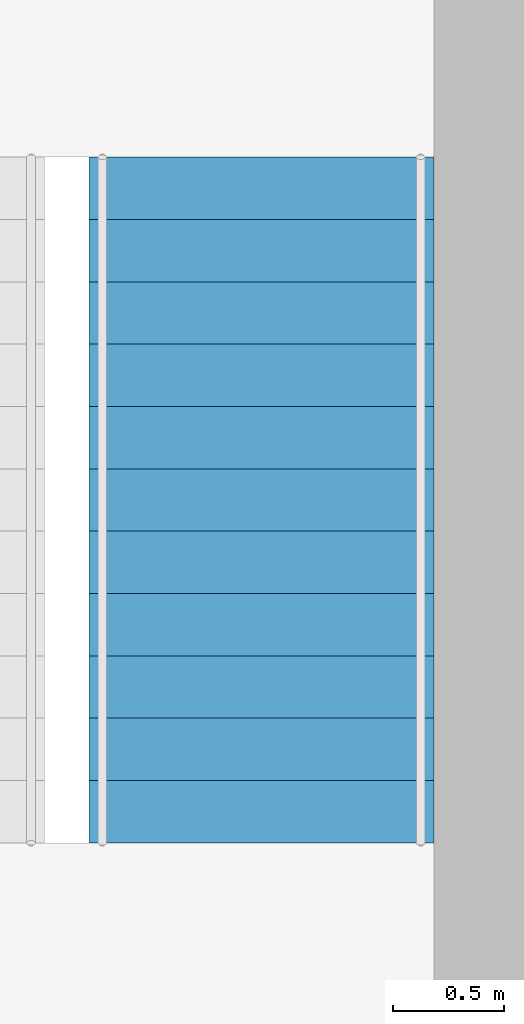
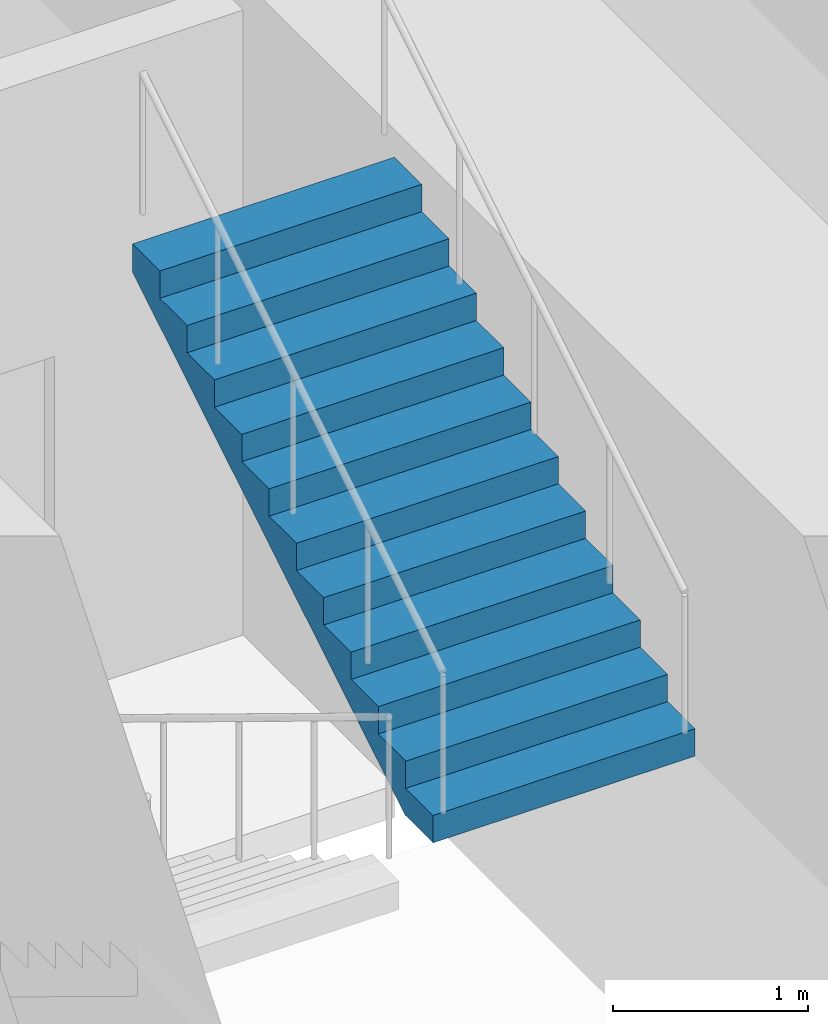
# One storey, part 12 of 14: 1 stair flight, 1 element without a shape of its own.
"""IFC4 building model written with IfcOpenShell, lengths in metres."""

from ifc_helpers import new_model, si_unit, direction, frame, origin, place, context, subcontext, project, spatial, polyline, outline, extrude, material, type_object, element, aggregate, save


model = new_model("IFC4")

# Units and contexts
model_context = context("Model", 3, precision=1e-05, world=origin(), true_north=direction((0.0, 1.0)))
body_context = subcontext(model_context, "Body", "Model", "MODEL_VIEW")
ifc_project = project(units=[si_unit("LENGTHUNIT", "METRE"), si_unit("AREAUNIT", "SQUARE_METRE"), si_unit("VOLUMEUNIT", "CUBIC_METRE"), si_unit("PLANEANGLEUNIT", "RADIAN"), si_unit("MASSUNIT", "GRAM", prefix="KILO")], contexts=[model_context])

# Site, building, storey
site_placement = place(None, origin())
site = spatial("IfcSite", under=ifc_project, at=site_placement, CompositionType="ELEMENT")
building_placement = place(site_placement, origin())
building = spatial("IfcBuilding", under=site, at=building_placement, Name="Trevanion Tower", CompositionType="ELEMENT")
storey_placement = place(building_placement, frame((0.0, 0.0, 109.0)))
storey = spatial("IfcBuildingStorey", under=building, at=storey_placement, Name="L25", CompositionType="ELEMENT", Elevation=109.0)

# Stair, stair flight
ifc_material_1 = material(Name="Concrete 5,000 psi on steel stringers", Category="concrete")
stair_type = type_object("IfcStairType", Name="ST stair", PredefinedType="HALF_TURN_STAIR", material=ifc_material_1)
stair_placement = place(storey_placement, origin())
stair = element("IfcStair", 1, at=stair_placement, inside=storey, type_object=stair_type, Name="ST1 L25", PredefinedType="HALF_TURN_STAIR")
ifc_material_2 = material(Name="Concrete 5,000 psi in steel pan", Category="concrete")
stair_flight_type = type_object("IfcStairFlightType", Name="STF stair flight", PredefinedType="STRAIGHT", material=ifc_material_2)
stair_flight_placement = place(storey_placement, frame((9.47509765625, -1.554931640625, 2.050048828125), z_axis=(0.0, 0.0, 1.0), x_axis=(0.0, 1.0, 0.0)))
stair_flight = element("IfcStairFlight", 2, at=stair_flight_placement, type_object=stair_flight_type, Name="ST1 flight 2", NumberOfRisers=12, NumberOfTreads=11, PredefinedType="STRAIGHT", RiserHeight=0.170833333, TreadLength=0.28, context=body_context, shape_type="SweptSolid", body=[
    extrude(outline(polyline([(0.0, 0.0), (0.0, 0.1708984375), (0.280029296875, 0.1708984375), (0.280029296875, 0.341552734375), (0.56005859375, 0.341552734375), (0.56005859375, 0.512451171875), (0.840087890625, 0.512451171875), (0.840087890625, 0.683349609375), (1.1201171875, 0.683349609375), (1.1201171875, 0.854248046875), (1.39990234375, 0.854248046875), (1.39990234375, 1.02490234375), (1.679931640625, 1.02490234375), (1.679931640625, 1.19580078125), (1.9599609375, 1.19580078125), (1.9599609375, 1.36669921875), (2.239990234375, 1.36669921875), (2.239990234375, 1.53759765625), (2.52001953125, 1.53759765625), (2.52001953125, 1.708251953125), (2.800048828125, 1.708251953125), (2.800048828125, 1.879150390625), (3.080078125, 1.879150390625), (3.080078125, 2.050048828125), (3.080078125, 1.70361328125), (0.287841796875, 0.0), (0.0, 0.0)])), frame((0.0, 0.77490234375, 0.0), z_axis=(0.0, -1.0, 0.0), x_axis=(1.0, 0.0, 0.0)), (0.0, 0.0, 1.0), 1.550048828125),
])
aggregate(stair, [stair_flight])

save(model, "model.ifc")
